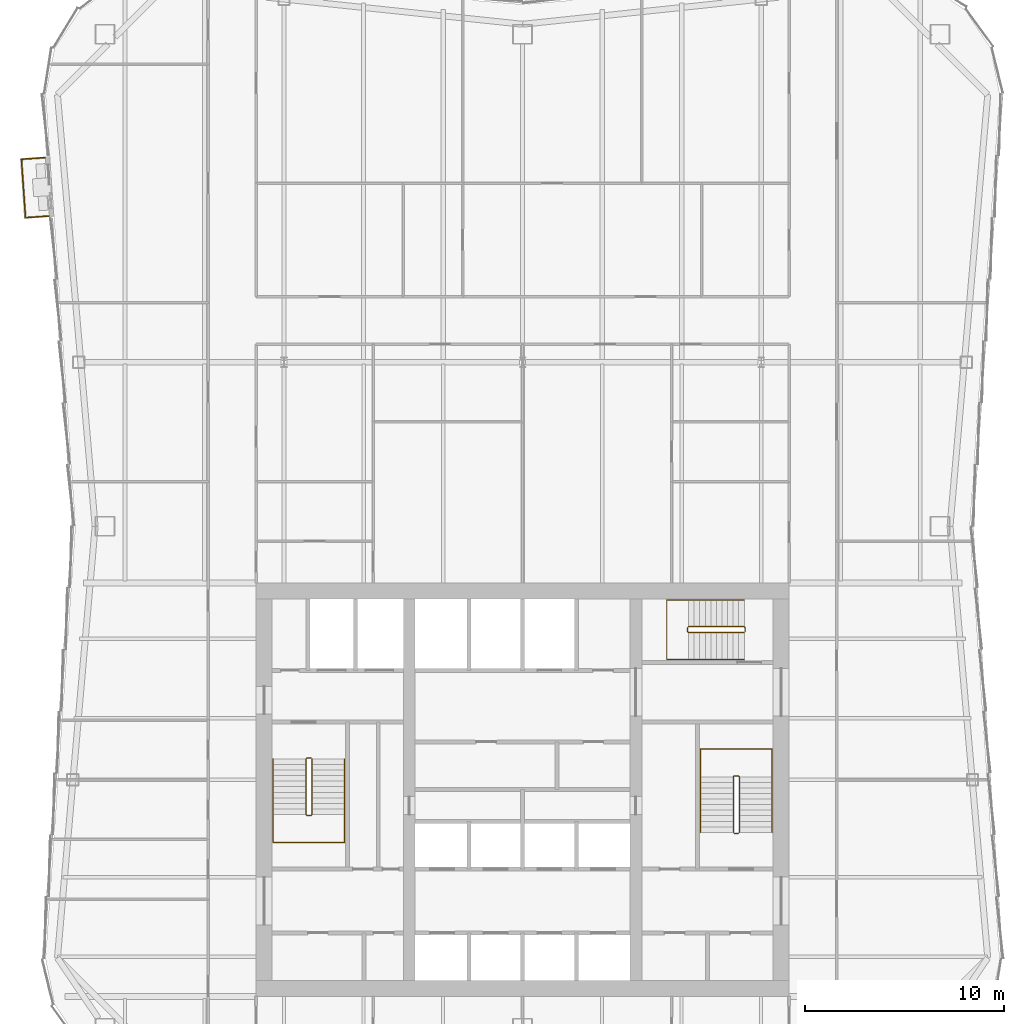
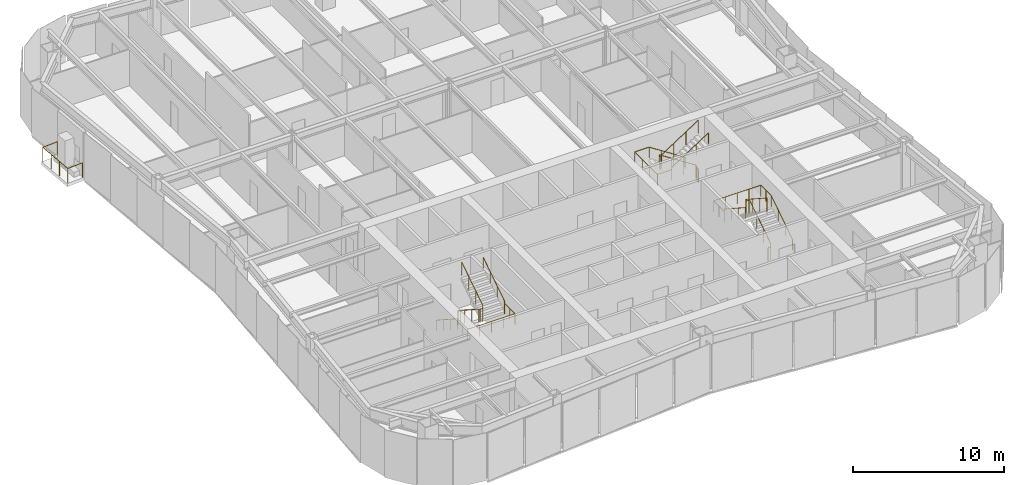
# One storey, part 10 of 11: 7 railings.
"""IFC4 building model written with IfcOpenShell, lengths in metres."""

from ifc_helpers import new_model, si_unit, direction, frame, origin, origin_2d, place, context, subcontext, project, spatial, circle, extrude, material, type_object, element, save


model = new_model("IFC4")

# Units and contexts
model_context = context("Model", 3, precision=1e-05, world=origin(), true_north=direction((0.0, 1.0)))
body_context = subcontext(model_context, "Body", "Model", "MODEL_VIEW")
ifc_project = project(units=[si_unit("LENGTHUNIT", "METRE"), si_unit("AREAUNIT", "SQUARE_METRE"), si_unit("VOLUMEUNIT", "CUBIC_METRE"), si_unit("PLANEANGLEUNIT", "RADIAN"), si_unit("MASSUNIT", "GRAM", prefix="KILO")], contexts=[model_context])

# Site, building, storey
site_placement = place(None, origin())
site = spatial("IfcSite", under=ifc_project, at=site_placement, CompositionType="ELEMENT")
building_placement = place(site_placement, origin())
building = spatial("IfcBuilding", under=site, at=building_placement, Name="Verdant Reach Tower", CompositionType="ELEMENT")
storey_placement = place(building_placement, frame((0.0, 0.0, 258.0)))
storey = spatial("IfcBuildingStorey", under=building, at=storey_placement, Name="L59", CompositionType="ELEMENT", Elevation=258.0)

# Railings
ifc_material_1 = material(Name="Stainless steel", Category="steel")
railing_type_1 = type_object("IfcRailingType", Name="CO-GUARD", PredefinedType="GUARDRAIL", material=ifc_material_1)
railing_1_placement = place(storey_placement, frame((-10.64990234375, 29.60009765625, 0.0)))
element("IfcRailing", 1, at=railing_1_placement, inside=storey, type_object=railing_type_1, Name="L59 ST-1 stair guard 1", PredefinedType="GUARDRAIL", context=body_context, shape_type="SweptSolid", body=[
    extrude(circle(Radius=0.02392578125, at=origin_2d()), frame((0.0, 0.0, 1.076171875), z_axis=(-1.0, 0.0, 0.0), x_axis=(0.0, -1.0, 0.0)), (0.0, 0.0, 1.0), 0.2001953125),
    extrude(circle(Radius=0.02392578125, at=origin_2d()), frame((-0.2001953125, 0.0, 1.076171875), z_axis=(-0.25526617399, -0.256517478764, 0.932222056972), x_axis=(0.708833529934, -0.705375805398, 0.0)), (0.0, 0.0, 1.0), 0.195068359375),
    extrude(circle(Radius=0.02392578125, at=origin_2d()), frame((-0.25, -0.050048828125, 1.2578125), z_axis=(0.0, -0.838705829183, 0.544584733623), x_axis=(1.0, 0.0, 0.0)), (0.0, 0.0, 1.0), 3.338623046875),
    extrude(circle(Radius=0.02392578125, at=origin_2d()), frame((-0.25, -2.85009765625, 3.076171875), z_axis=(0.705375805398, -0.708833529934, 0.0), x_axis=(0.708833529934, 0.705375805398, 0.0)), (0.0, 0.0, 1.0), 0.070556640625),
    extrude(circle(Radius=0.02392578125, at=origin_2d()), frame((-0.2001953125, -2.900146484375, 3.076171875), z_axis=(1.0, 0.0, 0.0), x_axis=(0.0, 1.0, 0.0)), (0.0, 0.0, 1.0), 0.2001953125),
    extrude(circle(Radius=0.02392578125, at=origin_2d()), frame((0.0, -2.900146484375, 3.076171875), z_axis=(0.25526617399, 0.256517478764, 0.932222056972), x_axis=(-0.708833529934, 0.705375805398, 0.0)), (0.0, 0.0, 1.0), 0.195068359375),
    extrude(circle(Radius=0.02392578125, at=origin_2d()), frame((0.0498046875, -2.85009765625, 3.2578125), z_axis=(0.0, 0.838705829183, 0.544584733623), x_axis=(-1.0, 0.0, 0.0)), (0.0, 0.0, 1.0), 3.338623046875),
    extrude(circle(Radius=0.02099609375, at=origin_2d()), origin(), (0.0, 0.0, 1.0), 1.052001953125),
    extrude(circle(Radius=0.02099609375, at=origin_2d()), frame((-0.2001953125, 0.0, 0.0)), (0.0, 0.0, 1.0), 1.052001953125),
    extrude(circle(Radius=0.02099609375, at=origin_2d()), frame((-0.25, -0.050048828125, 0.181884765625)), (0.0, 0.0, 1.0), 1.052001953125),
    extrude(circle(Radius=0.02099609375, at=origin_2d()), frame((-0.25, -0.9833984375, 0.787841796875)), (0.0, 0.0, 1.0), 1.052001953125),
    extrude(circle(Radius=0.02099609375, at=origin_2d()), frame((-0.25, -1.916748046875, 1.39404296875)), (0.0, 0.0, 1.0), 1.052001953125),
    extrude(circle(Radius=0.02099609375, at=origin_2d()), frame((-0.25, -2.85009765625, 2.0)), (0.0, 0.0, 1.0), 1.052001953125),
    extrude(circle(Radius=0.02099609375, at=origin_2d()), frame((-0.2001953125, -2.900146484375, 2.0)), (0.0, 0.0, 1.0), 1.052001953125),
    extrude(circle(Radius=0.02099609375, at=origin_2d()), frame((0.0, -2.900146484375, 2.0)), (0.0, 0.0, 1.0), 1.052001953125),
    extrude(circle(Radius=0.02099609375, at=origin_2d()), frame((0.0498046875, -2.85009765625, 2.181884765625)), (0.0, 0.0, 1.0), 1.052001953125),
    extrude(circle(Radius=0.02099609375, at=origin_2d()), frame((0.0498046875, -1.916748046875, 2.787841796875)), (0.0, 0.0, 1.0), 1.052001953125),
    extrude(circle(Radius=0.02099609375, at=origin_2d()), frame((0.0498046875, -0.9833984375, 3.39404296875)), (0.0, 0.0, 1.0), 1.052001953125),
    extrude(circle(Radius=0.02099609375, at=origin_2d()), frame((0.0498046875, -0.050048828125, 4.0)), (0.0, 0.0, 1.0), 1.052001953125),
])
railing_2_placement = place(storey_placement, frame((10.64990234375, 25.800048828125, 0.0)))
element("IfcRailing", 2, at=railing_2_placement, inside=storey, type_object=railing_type_1, Name="L59 ST-2 stair guard 1", PredefinedType="GUARDRAIL", context=body_context, shape_type="SweptSolid", body=[
    extrude(circle(Radius=0.02392578125, at=origin_2d()), frame((0.0, 0.0, 1.076171875), z_axis=(1.0, 0.0, 0.0), x_axis=(0.0, 1.0, 0.0)), (0.0, 0.0, 1.0), 0.2001953125),
    extrude(circle(Radius=0.02392578125, at=origin_2d()), frame((0.2001953125, 0.0, 1.076171875), z_axis=(0.25526617399, 0.256517478764, 0.932222056972), x_axis=(-0.708833529934, 0.705375805398, 0.0)), (0.0, 0.0, 1.0), 0.195068359375),
    extrude(circle(Radius=0.02392578125, at=origin_2d()), frame((0.25, 0.050048828125, 1.2578125), z_axis=(0.0, 0.83868413941, 0.544618136222), x_axis=(-1.0, 0.0, 0.0)), (0.0, 0.0, 1.0), 3.33837890625),
    extrude(circle(Radius=0.02392578125, at=origin_2d()), frame((0.25, 2.849853515625, 3.076171875), z_axis=(-0.705375805398, 0.708833529934, 0.0), x_axis=(-0.708833529934, -0.705375805398, 0.0)), (0.0, 0.0, 1.0), 0.070556640625),
    extrude(circle(Radius=0.02392578125, at=origin_2d()), frame((0.2001953125, 2.89990234375, 3.076171875), z_axis=(-1.0, 0.0, 0.0), x_axis=(0.0, -1.0, 0.0)), (0.0, 0.0, 1.0), 0.2001953125),
    extrude(circle(Radius=0.02392578125, at=origin_2d()), frame((0.0, 2.89990234375, 3.076171875), z_axis=(-0.25526617399, -0.256517478764, 0.932222056972), x_axis=(0.708833529934, -0.705375805398, 0.0)), (0.0, 0.0, 1.0), 0.195068359375),
    extrude(circle(Radius=0.02392578125, at=origin_2d()), frame((-0.0498046875, 2.849853515625, 3.2578125), z_axis=(0.0, -0.83868413941, 0.544618136222), x_axis=(1.0, 0.0, 0.0)), (0.0, 0.0, 1.0), 3.33837890625),
    extrude(circle(Radius=0.02099609375, at=origin_2d()), origin(), (0.0, 0.0, 1.0), 1.052001953125),
    extrude(circle(Radius=0.02099609375, at=origin_2d()), frame((0.2001953125, 0.0, 0.0)), (0.0, 0.0, 1.0), 1.052001953125),
    extrude(circle(Radius=0.02099609375, at=origin_2d()), frame((0.25, 0.050048828125, 0.181884765625)), (0.0, 0.0, 1.0), 1.052001953125),
    extrude(circle(Radius=0.02099609375, at=origin_2d()), frame((0.25, 0.9833984375, 0.787841796875)), (0.0, 0.0, 1.0), 1.052001953125),
    extrude(circle(Radius=0.02099609375, at=origin_2d()), frame((0.25, 1.91650390625, 1.39404296875)), (0.0, 0.0, 1.0), 1.052001953125),
    extrude(circle(Radius=0.02099609375, at=origin_2d()), frame((0.25, 2.849853515625, 2.0)), (0.0, 0.0, 1.0), 1.052001953125),
    extrude(circle(Radius=0.02099609375, at=origin_2d()), frame((0.2001953125, 2.89990234375, 2.0)), (0.0, 0.0, 1.0), 1.052001953125),
    extrude(circle(Radius=0.02099609375, at=origin_2d()), frame((0.0, 2.89990234375, 2.0)), (0.0, 0.0, 1.0), 1.052001953125),
    extrude(circle(Radius=0.02099609375, at=origin_2d()), frame((-0.0498046875, 2.849853515625, 2.181884765625)), (0.0, 0.0, 1.0), 1.052001953125),
    extrude(circle(Radius=0.02099609375, at=origin_2d()), frame((-0.0498046875, 1.91650390625, 2.787841796875)), (0.0, 0.0, 1.0), 1.052001953125),
    extrude(circle(Radius=0.02099609375, at=origin_2d()), frame((-0.0498046875, 0.9833984375, 3.39404296875)), (0.0, 0.0, 1.0), 1.052001953125),
    extrude(circle(Radius=0.02099609375, at=origin_2d()), frame((-0.0498046875, 0.050048828125, 4.0)), (0.0, 0.0, 1.0), 1.052001953125),
])
railing_3_placement = place(storey_placement, frame((11.199951171875, 35.949951171875, 0.0)))
element("IfcRailing", 3, at=railing_3_placement, inside=storey, type_object=railing_type_1, Name="L59 ST-3 stair guard 1", PredefinedType="GUARDRAIL", context=body_context, shape_type="SweptSolid", body=[
    extrude(circle(Radius=0.02392578125, at=origin_2d()), frame((0.0, 0.0, 1.076171875), z_axis=(0.0, 1.0, 0.0), x_axis=(-1.0, 0.0, 0.0)), (0.0, 0.0, 1.0), 0.199951171875),
    extrude(circle(Radius=0.02392578125, at=origin_2d()), frame((0.0, 0.199951171875, 1.076171875), z_axis=(-0.256435381639, 0.256435381639, 0.931923704005), x_axis=(-0.707106781187, -0.707106781187, 0.0)), (0.0, 0.0, 1.0), 0.195068359375),
    extrude(circle(Radius=0.02392578125, at=origin_2d()), frame((-0.050048828125, 0.25, 1.2578125), z_axis=(-0.83868413941, 0.0, 0.544618136222), x_axis=(0.0, -1.0, 0.0)), (0.0, 0.0, 1.0), 3.33837890625),
    extrude(circle(Radius=0.02392578125, at=origin_2d()), frame((-2.849853515625, 0.25, 3.076171875), z_axis=(-0.707106781187, -0.707106781187, 0.0), x_axis=(0.707106781187, -0.707106781187, 0.0)), (0.0, 0.0, 1.0), 0.07080078125),
    extrude(circle(Radius=0.02392578125, at=origin_2d()), frame((-2.89990234375, 0.199951171875, 3.076171875), z_axis=(0.0, -1.0, 0.0), x_axis=(1.0, 0.0, 0.0)), (0.0, 0.0, 1.0), 0.199951171875),
    extrude(circle(Radius=0.02392578125, at=origin_2d()), frame((-2.89990234375, 0.0, 3.076171875), z_axis=(0.256435381639, -0.256435381639, 0.931923704005), x_axis=(0.707106781187, 0.707106781187, 0.0)), (0.0, 0.0, 1.0), 0.195068359375),
    extrude(circle(Radius=0.02392578125, at=origin_2d()), frame((-2.849853515625, -0.050048828125, 3.2578125), z_axis=(0.83868413941, 0.0, 0.544618136222), x_axis=(0.0, 1.0, 0.0)), (0.0, 0.0, 1.0), 3.33837890625),
    extrude(circle(Radius=0.02099609375, at=origin_2d()), origin(), (0.0, 0.0, 1.0), 1.052001953125),
    extrude(circle(Radius=0.02099609375, at=origin_2d()), frame((0.0, 0.199951171875, 0.0)), (0.0, 0.0, 1.0), 1.052001953125),
    extrude(circle(Radius=0.02099609375, at=origin_2d()), frame((-0.050048828125, 0.25, 0.181884765625)), (0.0, 0.0, 1.0), 1.052001953125),
    extrude(circle(Radius=0.02099609375, at=origin_2d()), frame((-0.9833984375, 0.25, 0.787841796875)), (0.0, 0.0, 1.0), 1.052001953125),
    extrude(circle(Radius=0.02099609375, at=origin_2d()), frame((-1.91650390625, 0.25, 1.39404296875)), (0.0, 0.0, 1.0), 1.052001953125),
    extrude(circle(Radius=0.02099609375, at=origin_2d()), frame((-2.849853515625, 0.25, 2.0)), (0.0, 0.0, 1.0), 1.052001953125),
    extrude(circle(Radius=0.02099609375, at=origin_2d()), frame((-2.89990234375, 0.199951171875, 2.0)), (0.0, 0.0, 1.0), 1.052001953125),
    extrude(circle(Radius=0.02099609375, at=origin_2d()), frame((-2.89990234375, 0.0, 2.0)), (0.0, 0.0, 1.0), 1.052001953125),
    extrude(circle(Radius=0.02099609375, at=origin_2d()), frame((-2.849853515625, -0.050048828125, 2.181884765625)), (0.0, 0.0, 1.0), 1.052001953125),
    extrude(circle(Radius=0.02099609375, at=origin_2d()), frame((-1.91650390625, -0.050048828125, 2.787841796875)), (0.0, 0.0, 1.0), 1.052001953125),
    extrude(circle(Radius=0.02099609375, at=origin_2d()), frame((-0.9833984375, -0.050048828125, 3.39404296875)), (0.0, 0.0, 1.0), 1.052001953125),
    extrude(circle(Radius=0.02099609375, at=origin_2d()), frame((-0.050048828125, -0.050048828125, 4.0)), (0.0, 0.0, 1.0), 1.052001953125),
])
railing_type_2 = type_object("IfcRailingType", Name="CO-HANDRAIL", PredefinedType="HANDRAIL", material=ifc_material_1)
railing_4_placement = place(storey_placement, frame((-12.550048828125, 29.550048828125, 0.181884765625)))
element("IfcRailing", 4, at=railing_4_placement, inside=storey, type_object=railing_type_2, Name="L59 ST-1 stair handrail 1", PredefinedType="HANDRAIL", context=body_context, shape_type="SweptSolid", body=[
    extrude(circle(Radius=0.02392578125, at=origin_2d()), frame((0.0, 0.0, 0.8759765625), z_axis=(0.0, -0.838705829183, 0.544584733623), x_axis=(1.0, 0.0, 0.0)), (0.0, 0.0, 1.0), 3.338623046875),
    extrude(circle(Radius=0.02392578125, at=origin_2d()), frame((0.0, -2.800048828125, 2.69384765625), z_axis=(0.0, -1.0, 0.0), x_axis=(1.0, 0.0, 0.0)), (0.0, 0.0, 1.0), 1.39990234375),
    extrude(circle(Radius=0.02392578125, at=origin_2d()), frame((0.0, -4.199951171875, 2.69384765625), z_axis=(1.0, 0.0, 0.0), x_axis=(0.0, 1.0, 0.0)), (0.0, 0.0, 1.0), 3.60009765625),
    extrude(circle(Radius=0.02392578125, at=origin_2d()), frame((3.60009765625, -4.199951171875, 2.69384765625), z_axis=(0.0, 1.0, 0.0), x_axis=(-1.0, 0.0, 0.0)), (0.0, 0.0, 1.0), 1.39990234375),
    extrude(circle(Radius=0.02392578125, at=origin_2d()), frame((3.60009765625, -2.800048828125, 2.69384765625), z_axis=(0.0, 0.0, 1.0), x_axis=(1.0, 0.0, 0.0)), (0.0, 0.0, 1.0), 0.181884765625),
    extrude(circle(Radius=0.02392578125, at=origin_2d()), frame((3.60009765625, -2.800048828125, 2.8759765625), z_axis=(0.0, 0.838705829183, 0.544584733623), x_axis=(-1.0, 0.0, 0.0)), (0.0, 0.0, 1.0), 3.338623046875),
    extrude(circle(Radius=0.02099609375, at=origin_2d()), origin(), (0.0, 0.0, 1.0), 0.851806640625),
    extrude(circle(Radius=0.02099609375, at=origin_2d()), frame((0.0, -0.933349609375, 0.60595703125)), (0.0, 0.0, 1.0), 0.851806640625),
    extrude(circle(Radius=0.02099609375, at=origin_2d()), frame((0.0, -1.86669921875, 1.212158203125)), (0.0, 0.0, 1.0), 0.851806640625),
    extrude(circle(Radius=0.02099609375, at=origin_2d()), frame((0.0, -2.800048828125, 1.818115234375)), (0.0, 0.0, 1.0), 0.851806640625),
    extrude(circle(Radius=0.02099609375, at=origin_2d()), frame((0.0, -3.5, 1.818115234375)), (0.0, 0.0, 1.0), 0.851806640625),
    extrude(circle(Radius=0.02099609375, at=origin_2d()), frame((0.0, -4.199951171875, 1.818115234375)), (0.0, 0.0, 1.0), 0.851806640625),
    extrude(circle(Radius=0.02099609375, at=origin_2d()), frame((0.89990234375, -4.199951171875, 1.818115234375)), (0.0, 0.0, 1.0), 0.851806640625),
    extrude(circle(Radius=0.02099609375, at=origin_2d()), frame((1.800048828125, -4.199951171875, 1.818115234375)), (0.0, 0.0, 1.0), 0.851806640625),
    extrude(circle(Radius=0.02099609375, at=origin_2d()), frame((2.7001953125, -4.199951171875, 1.818115234375)), (0.0, 0.0, 1.0), 0.851806640625),
    extrude(circle(Radius=0.02099609375, at=origin_2d()), frame((3.60009765625, -4.199951171875, 1.818115234375)), (0.0, 0.0, 1.0), 0.851806640625),
    extrude(circle(Radius=0.02099609375, at=origin_2d()), frame((3.60009765625, -3.5, 1.818115234375)), (0.0, 0.0, 1.0), 0.851806640625),
    extrude(circle(Radius=0.02099609375, at=origin_2d()), frame((3.60009765625, -2.800048828125, 1.818115234375)), (0.0, 0.0, 1.0), 0.851806640625),
    extrude(circle(Radius=0.02099609375, at=origin_2d()), frame((3.60009765625, -2.800048828125, 2.0)), (0.0, 0.0, 1.0), 0.851806640625),
    extrude(circle(Radius=0.02099609375, at=origin_2d()), frame((3.60009765625, -1.86669921875, 2.60595703125)), (0.0, 0.0, 1.0), 0.851806640625),
    extrude(circle(Radius=0.02099609375, at=origin_2d()), frame((3.60009765625, -0.933349609375, 3.212158203125)), (0.0, 0.0, 1.0), 0.851806640625),
    extrude(circle(Radius=0.02099609375, at=origin_2d()), frame((3.60009765625, 0.0, 3.818115234375)), (0.0, 0.0, 1.0), 0.851806640625),
])
railing_5_placement = place(storey_placement, frame((12.550048828125, 25.85009765625, 0.181884765625)))
element("IfcRailing", 5, at=railing_5_placement, inside=storey, type_object=railing_type_2, Name="L59 ST-2 stair handrail 1", PredefinedType="HANDRAIL", context=body_context, shape_type="SweptSolid", body=[
    extrude(circle(Radius=0.02392578125, at=origin_2d()), frame((0.0, 0.0, 0.8759765625), z_axis=(0.0, 0.83868413941, 0.544618136222), x_axis=(-1.0, 0.0, 0.0)), (0.0, 0.0, 1.0), 3.33837890625),
    extrude(circle(Radius=0.02392578125, at=origin_2d()), frame((0.0, 2.7998046875, 2.69384765625), z_axis=(0.0, 1.0, 0.0), x_axis=(-1.0, 0.0, 0.0)), (0.0, 0.0, 1.0), 1.400146484375),
    extrude(circle(Radius=0.02392578125, at=origin_2d()), frame((0.0, 4.199951171875, 2.69384765625), z_axis=(-1.0, 0.0, 0.0), x_axis=(0.0, -1.0, 0.0)), (0.0, 0.0, 1.0), 3.60009765625),
    extrude(circle(Radius=0.02392578125, at=origin_2d()), frame((-3.60009765625, 4.199951171875, 2.69384765625), z_axis=(0.0, -1.0, 0.0), x_axis=(1.0, 0.0, 0.0)), (0.0, 0.0, 1.0), 1.400146484375),
    extrude(circle(Radius=0.02392578125, at=origin_2d()), frame((-3.60009765625, 2.7998046875, 2.69384765625), z_axis=(0.0, 0.0, 1.0), x_axis=(1.0, 0.0, 0.0)), (0.0, 0.0, 1.0), 0.181884765625),
    extrude(circle(Radius=0.02392578125, at=origin_2d()), frame((-3.60009765625, 2.7998046875, 2.8759765625), z_axis=(0.0, -0.83868413941, 0.544618136222), x_axis=(1.0, 0.0, 0.0)), (0.0, 0.0, 1.0), 3.33837890625),
    extrude(circle(Radius=0.02099609375, at=origin_2d()), origin(), (0.0, 0.0, 1.0), 0.851806640625),
    extrude(circle(Radius=0.02099609375, at=origin_2d()), frame((0.0, 0.933349609375, 0.60595703125)), (0.0, 0.0, 1.0), 0.851806640625),
    extrude(circle(Radius=0.02099609375, at=origin_2d()), frame((0.0, 1.866455078125, 1.212158203125)), (0.0, 0.0, 1.0), 0.851806640625),
    extrude(circle(Radius=0.02099609375, at=origin_2d()), frame((0.0, 2.7998046875, 1.818115234375)), (0.0, 0.0, 1.0), 0.851806640625),
    extrude(circle(Radius=0.02099609375, at=origin_2d()), frame((0.0, 3.5, 1.818115234375)), (0.0, 0.0, 1.0), 0.851806640625),
    extrude(circle(Radius=0.02099609375, at=origin_2d()), frame((0.0, 4.199951171875, 1.818115234375)), (0.0, 0.0, 1.0), 0.851806640625),
    extrude(circle(Radius=0.02099609375, at=origin_2d()), frame((-0.89990234375, 4.199951171875, 1.818115234375)), (0.0, 0.0, 1.0), 0.851806640625),
    extrude(circle(Radius=0.02099609375, at=origin_2d()), frame((-1.800048828125, 4.199951171875, 1.818115234375)), (0.0, 0.0, 1.0), 0.851806640625),
    extrude(circle(Radius=0.02099609375, at=origin_2d()), frame((-2.7001953125, 4.199951171875, 1.818115234375)), (0.0, 0.0, 1.0), 0.851806640625),
    extrude(circle(Radius=0.02099609375, at=origin_2d()), frame((-3.60009765625, 4.199951171875, 1.818115234375)), (0.0, 0.0, 1.0), 0.851806640625),
    extrude(circle(Radius=0.02099609375, at=origin_2d()), frame((-3.60009765625, 3.5, 1.818115234375)), (0.0, 0.0, 1.0), 0.851806640625),
    extrude(circle(Radius=0.02099609375, at=origin_2d()), frame((-3.60009765625, 2.7998046875, 1.818115234375)), (0.0, 0.0, 1.0), 0.851806640625),
    extrude(circle(Radius=0.02099609375, at=origin_2d()), frame((-3.60009765625, 2.7998046875, 2.0)), (0.0, 0.0, 1.0), 0.851806640625),
    extrude(circle(Radius=0.02099609375, at=origin_2d()), frame((-3.60009765625, 1.866455078125, 2.60595703125)), (0.0, 0.0, 1.0), 0.851806640625),
    extrude(circle(Radius=0.02099609375, at=origin_2d()), frame((-3.60009765625, 0.933349609375, 3.212158203125)), (0.0, 0.0, 1.0), 0.851806640625),
    extrude(circle(Radius=0.02099609375, at=origin_2d()), frame((-3.60009765625, 0.0, 3.818115234375)), (0.0, 0.0, 1.0), 0.851806640625),
])
railing_6_placement = place(storey_placement, frame((11.14990234375, 37.550048828125, 0.181884765625)))
element("IfcRailing", 6, at=railing_6_placement, inside=storey, type_object=railing_type_2, Name="L59 ST-3 stair handrail 1", PredefinedType="HANDRAIL", context=body_context, shape_type="SweptSolid", body=[
    extrude(circle(Radius=0.02392578125, at=origin_2d()), frame((0.0, 0.0, 0.8759765625), z_axis=(-0.83868413941, 0.0, 0.544618136222), x_axis=(0.0, -1.0, 0.0)), (0.0, 0.0, 1.0), 3.33837890625),
    extrude(circle(Radius=0.02392578125, at=origin_2d()), frame((-2.7998046875, 0.0, 2.69384765625), z_axis=(-1.0, 0.0, 0.0), x_axis=(0.0, -1.0, 0.0)), (0.0, 0.0, 1.0), 1.10009765625),
    extrude(circle(Radius=0.02392578125, at=origin_2d()), frame((-3.89990234375, 0.0, 2.69384765625), z_axis=(0.0, -1.0, 0.0), x_axis=(1.0, 0.0, 0.0)), (0.0, 0.0, 1.0), 3.0),
    extrude(circle(Radius=0.02392578125, at=origin_2d()), frame((-3.89990234375, -3.0, 2.69384765625), z_axis=(1.0, 0.0, 0.0), x_axis=(0.0, 1.0, 0.0)), (0.0, 0.0, 1.0), 1.10009765625),
    extrude(circle(Radius=0.02392578125, at=origin_2d()), frame((-2.7998046875, -3.0, 2.69384765625), z_axis=(0.0, 0.0, 1.0), x_axis=(1.0, 0.0, 0.0)), (0.0, 0.0, 1.0), 0.181884765625),
    extrude(circle(Radius=0.02392578125, at=origin_2d()), frame((-2.7998046875, -3.0, 2.8759765625), z_axis=(0.83868413941, 0.0, 0.544618136222), x_axis=(0.0, 1.0, 0.0)), (0.0, 0.0, 1.0), 3.33837890625),
    extrude(circle(Radius=0.02099609375, at=origin_2d()), origin(), (0.0, 0.0, 1.0), 0.851806640625),
    extrude(circle(Radius=0.02099609375, at=origin_2d()), frame((-0.933349609375, 0.0, 0.60595703125)), (0.0, 0.0, 1.0), 0.851806640625),
    extrude(circle(Radius=0.02099609375, at=origin_2d()), frame((-1.866455078125, 0.0, 1.212158203125)), (0.0, 0.0, 1.0), 0.851806640625),
    extrude(circle(Radius=0.02099609375, at=origin_2d()), frame((-2.7998046875, 0.0, 1.818115234375)), (0.0, 0.0, 1.0), 0.851806640625),
    extrude(circle(Radius=0.02099609375, at=origin_2d()), frame((-3.89990234375, 0.0, 1.818115234375)), (0.0, 0.0, 1.0), 0.851806640625),
    extrude(circle(Radius=0.02099609375, at=origin_2d()), frame((-3.89990234375, -1.0, 1.818115234375)), (0.0, 0.0, 1.0), 0.851806640625),
    extrude(circle(Radius=0.02099609375, at=origin_2d()), frame((-3.89990234375, -2.0, 1.818115234375)), (0.0, 0.0, 1.0), 0.851806640625),
    extrude(circle(Radius=0.02099609375, at=origin_2d()), frame((-3.89990234375, -3.0, 1.818115234375)), (0.0, 0.0, 1.0), 0.851806640625),
    extrude(circle(Radius=0.02099609375, at=origin_2d()), frame((-2.7998046875, -3.0, 1.818115234375)), (0.0, 0.0, 1.0), 0.851806640625),
    extrude(circle(Radius=0.02099609375, at=origin_2d()), frame((-2.7998046875, -3.0, 2.0)), (0.0, 0.0, 1.0), 0.851806640625),
    extrude(circle(Radius=0.02099609375, at=origin_2d()), frame((-1.866455078125, -3.0, 2.60595703125)), (0.0, 0.0, 1.0), 0.851806640625),
    extrude(circle(Radius=0.02099609375, at=origin_2d()), frame((-0.933349609375, -3.0, 3.212158203125)), (0.0, 0.0, 1.0), 0.851806640625),
    extrude(circle(Radius=0.02099609375, at=origin_2d()), frame((0.0, -3.0, 3.818115234375)), (0.0, 0.0, 1.0), 0.851806640625),
])
ifc_material_2 = material(Name="Stainless steel and laminated glass balustrade", Category="steel")
railing_type_3 = type_object("IfcRailingType", Name="EN-RAILING BALCONY", PredefinedType="GUARDRAIL", material=ifc_material_2)
railing_7_placement = place(storey_placement, frame((-24.033447265625, 59.79150390625, 0.0)))
element("IfcRailing", 7, at=railing_7_placement, inside=storey, type_object=railing_type_3, Name="Balcony guard 1, L59", PredefinedType="GUARDRAIL", context=body_context, shape_type="SweptSolid", body=[
    extrude(circle(Radius=0.02490234375, at=origin_2d()), frame((0.0, 0.0, 1.1748046875), z_axis=(-0.997635730952, -0.068723710082, 0.0), x_axis=(0.068723710082, -0.997635730952, 0.0)), (0.0, 0.0, 1.0), 1.17578125),
    extrude(circle(Radius=0.02490234375, at=origin_2d()), frame((-1.173095703125, -0.080810546875, 1.1748046875), z_axis=(0.068773654488, -0.997632289197, 0.0), x_axis=(0.997632289197, 0.068773654488, 0.0)), (0.0, 0.0, 1.0), 2.946533203125),
    extrude(circle(Radius=0.02490234375, at=origin_2d()), frame((-0.970458984375, -3.020263671875, 1.1748046875), z_axis=(0.997636711247, 0.068709478032, 0.0), x_axis=(-0.068709478032, 0.997636711247, 0.0)), (0.0, 0.0, 1.0), 1.176025390625),
    extrude(circle(Radius=0.02490234375, at=origin_2d()), origin(), (0.0, 0.0, 1.0), 1.14990234375),
    extrude(circle(Radius=0.02490234375, at=origin_2d()), frame((-1.173095703125, -0.080810546875, 0.0)), (0.0, 0.0, 1.0), 1.14990234375),
    extrude(circle(Radius=0.02490234375, at=origin_2d()), frame((-1.10546875, -1.060546875, 0.0)), (0.0, 0.0, 1.0), 1.14990234375),
    extrude(circle(Radius=0.02490234375, at=origin_2d()), frame((-1.0380859375, -2.04052734375, 0.0)), (0.0, 0.0, 1.0), 1.14990234375),
    extrude(circle(Radius=0.02490234375, at=origin_2d()), frame((-0.970458984375, -3.020263671875, 0.0)), (0.0, 0.0, 1.0), 1.14990234375),
    extrude(circle(Radius=0.02490234375, at=origin_2d()), frame((0.202880859375, -2.939453125, 0.0)), (0.0, 0.0, 1.0), 1.14990234375),
])

save(model, "model.ifc")
